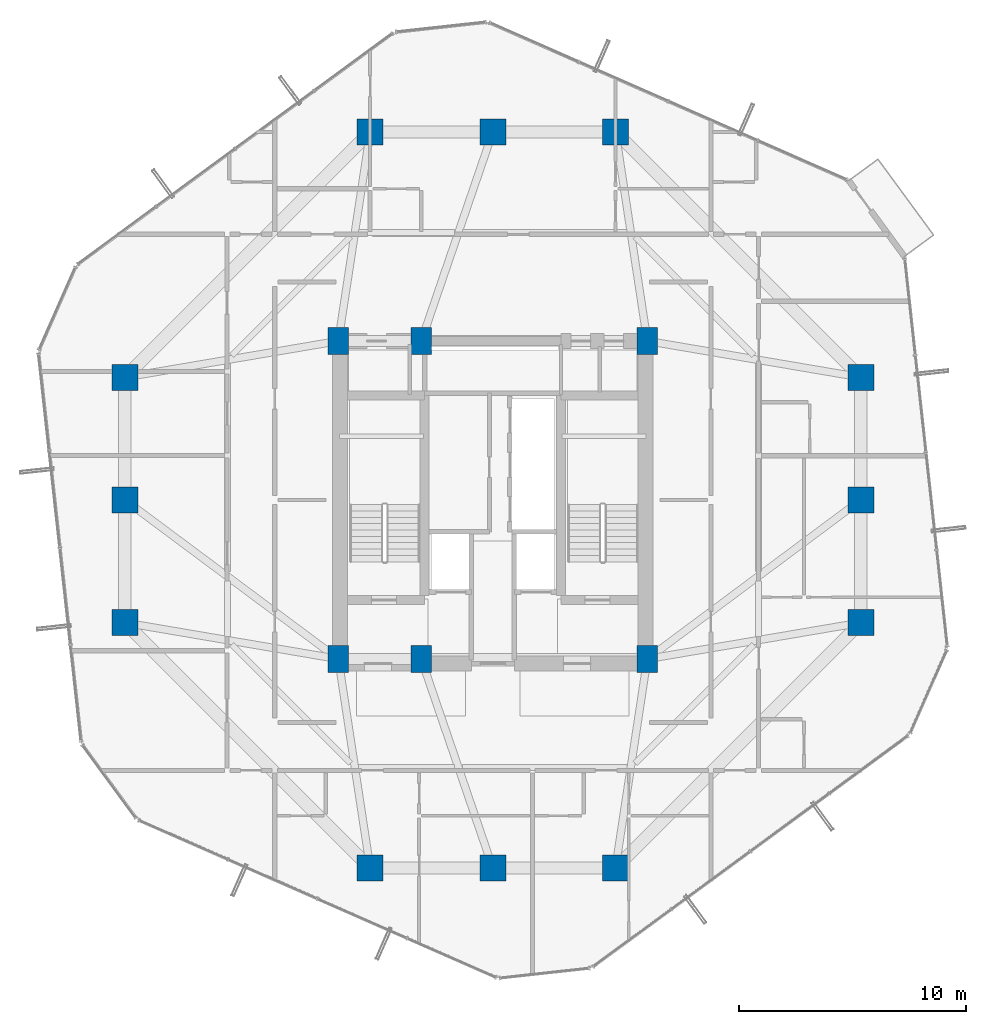
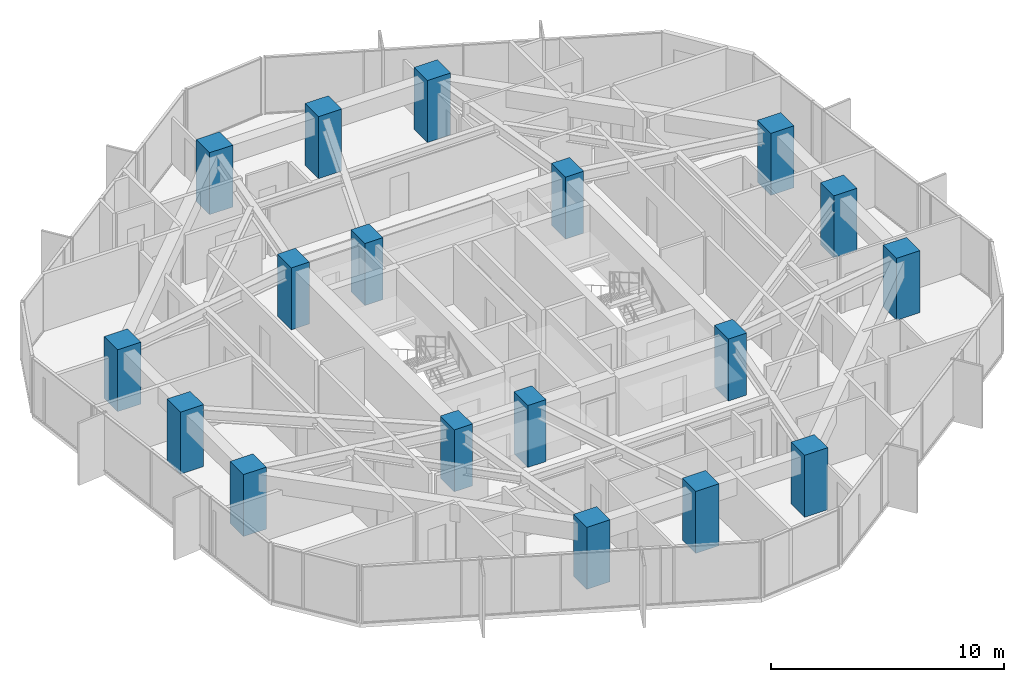
# One storey, part 1 of 34: 18 columns.
"""IFC4 building model written with IfcOpenShell, lengths in metres."""

from ifc_helpers import new_model, si_unit, direction, frame, origin, origin_2d, place, context, subcontext, project, spatial, rectangle, extrude, material, material_profile, profile_set, type_object, element, save


model = new_model("IFC4")

# Units and contexts
model_context = context("Model", 3, precision=1e-05, world=origin(), true_north=direction((0.0, 1.0)))
body_context = subcontext(model_context, "Body", "Model", "MODEL_VIEW")
ifc_project = project(units=[si_unit("LENGTHUNIT", "METRE"), si_unit("AREAUNIT", "SQUARE_METRE"), si_unit("VOLUMEUNIT", "CUBIC_METRE"), si_unit("PLANEANGLEUNIT", "RADIAN"), si_unit("MASSUNIT", "GRAM", prefix="KILO")], contexts=[model_context])

# Site, building, storey
site_placement = place(None, origin())
site = spatial("IfcSite", under=ifc_project, at=site_placement, CompositionType="ELEMENT")
building_placement = place(site_placement, origin())
building = spatial("IfcBuilding", under=site, at=building_placement, Name="Veraguas Prism Commons", CompositionType="ELEMENT")
storey_placement = place(building_placement, frame((0.0, 0.0, 149.0)))
storey = spatial("IfcBuildingStorey", under=building, at=storey_placement, Name="L42", CompositionType="ELEMENT", Elevation=149.0)

# Columns
ifc_material = material(Name="Concrete C60/75", Category="concrete")
ifc_material_profile_1 = material_profile(ifc_material, rectangle(XDim=1.14990234375, YDim=1.14990234375, at=origin_2d()), Name="RC1150X1150")
ifc_profile_set_1 = profile_set([ifc_material_profile_1], Name="Concrete C60/75")
column_type_1 = type_object("IfcColumnType", Name="Column Tube Z2 RC 1150x1150", PredefinedType="COLUMN", material=ifc_profile_set_1)
for number, where, z_axis, x_axis, name in (
    (1, (40.199951171875, 18.60009765625, 0.0), (0.0, 0.0, 1.0), (1.0, 0.0, 0.0), "Tower Perimeter Column L42-TB01"),
    (2, (40.199951171875, 24.0, 0.0), (0.0, 0.0, 1.0), (1.0, 0.0, 0.0), "Tower Perimeter Column L42-TB02"),
    (3, (40.199951171875, 29.39990234375, 0.0), (0.0, 0.0, 1.0), (1.0, 0.0, 0.0), "Tower Perimeter Column L42-TB03"),
    (4, (29.39990234375, 40.199951171875, 0.0), (0.0, 0.0, 1.0), (1.0, 0.0, 0.0), "Tower Perimeter Column L42-TB04"),
    (5, (24.0, 40.199951171875, 0.0), (0.0, 0.0, 1.0), (1.0, 0.0, 0.0), "Tower Perimeter Column L42-TB05"),
    (6, (18.60009765625, 40.199951171875, 0.0), (0.0, 0.0, 1.0), (1.0, 0.0, 0.0), "Tower Perimeter Column L42-TB06"),
    (7, (7.800048828125, 29.39990234375, 0.0), (0.0, 0.0, 1.0), (1.0, 0.0, 0.0), "Tower Perimeter Column L42-TB07"),
    (8, (7.800048828125, 24.0, 0.0), (0.0, 0.0, 1.0), (1.0, 0.0, 0.0), "Tower Perimeter Column L42-TB08"),
    (9, (7.800048828125, 18.60009765625, 0.0), (0.0, 0.0, 1.0), (1.0, 0.0, 0.0), "Tower Perimeter Column L42-TB09"),
    (10, (18.60009765625, 7.800048828125, 0.0), (0.0, 0.0, 1.0), (1.0, 0.0, 0.0), "Tower Perimeter Column L42-TB10"),
    (11, (24.0, 7.800048828125, 0.0), (0.0, 0.0, 1.0), (1.0, 0.0, 0.0), "Tower Perimeter Column L42-TB11"),
    (12, (29.39990234375, 7.800048828125, 0.0), (0.0, 0.0, 1.0), (1.0, 0.0, 0.0), "Tower Perimeter Column L42-TB12"),
):
    element("IfcColumn", number, at=place(storey_placement, frame(where, z_axis=z_axis, x_axis=x_axis)), inside=storey, type_object=column_type_1, Name=name, PredefinedType="COLUMN", context=body_context, shape_type="SweptSolid", body=[
        extrude(rectangle(XDim=1.14990234375, YDim=1.14990234375, at=origin_2d()), origin(), (0.0, 0.0, 1.0), 3.25),
    ])
ifc_material_profile_2 = material_profile(ifc_material, rectangle(XDim=0.89990234375, YDim=1.199951171875, at=origin_2d()), Name="RC900X1200")
ifc_profile_set_2 = profile_set([ifc_material_profile_2], Name="Concrete C60/75")
column_type_2 = type_object("IfcColumnType", Name="Pilaster Core Lower RC 900x1200", PredefinedType="PILASTER", material=ifc_profile_set_2)
for number, where, z_axis, x_axis, name in (
    (13, (17.199951171875, 17.0, 0.0), (0.0, 0.0, 1.0), (1.0, 0.0, 0.0), "Core Pilaster Column L42-CR1"),
    (14, (20.85009765625, 17.0, 0.0), (0.0, 0.0, 1.0), (1.0, 0.0, 0.0), "Core Pilaster Column L42-CR2"),
    (15, (30.800048828125, 17.0, 0.0), (0.0, 0.0, 1.0), (1.0, 0.0, 0.0), "Core Pilaster Column L42-CR3"),
    (16, (17.199951171875, 31.0, 0.0), (0.0, 0.0, 1.0), (1.0, 0.0, 0.0), "Core Pilaster Column L42-CR4"),
    (17, (20.85009765625, 31.0, 0.0), (0.0, 0.0, 1.0), (1.0, 0.0, 0.0), "Core Pilaster Column L42-CR5"),
    (18, (30.800048828125, 31.0, 0.0), (0.0, 0.0, 1.0), (1.0, 0.0, 0.0), "Core Pilaster Column L42-CR6"),
):
    element("IfcColumn", number, at=place(storey_placement, frame(where, z_axis=z_axis, x_axis=x_axis)), inside=storey, type_object=column_type_2, Name=name, PredefinedType="PILASTER", context=body_context, shape_type="SweptSolid", body=[
        extrude(rectangle(XDim=0.89990234375, YDim=1.199951171875, at=origin_2d()), origin(), (0.0, 0.0, 1.0), 3.25),
    ])

save(model, "model.ifc")
